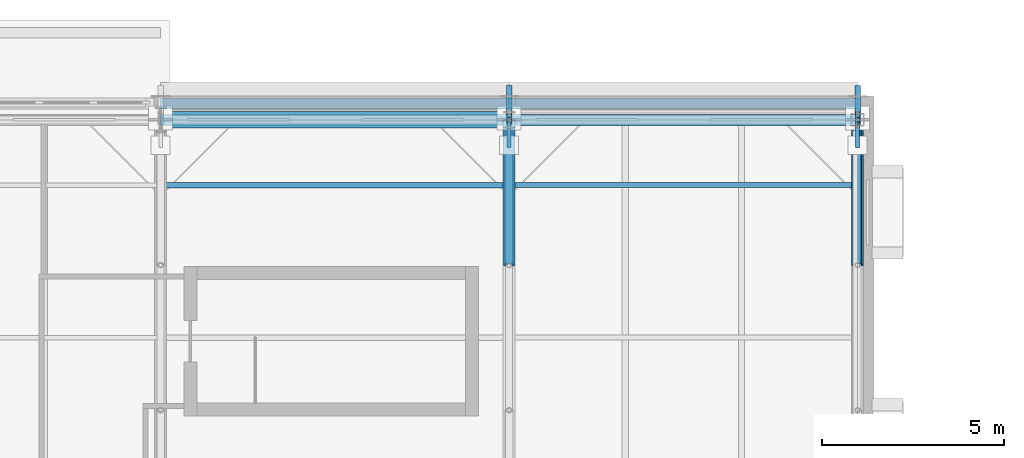
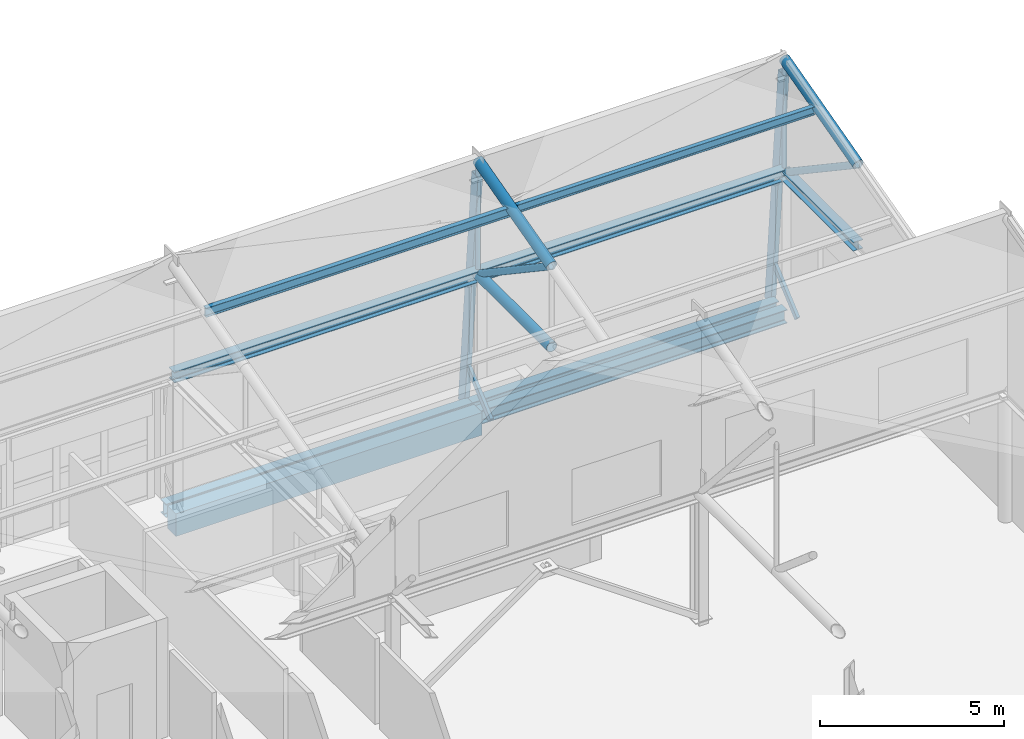
# One storey, part 57 of 89: 14 members, 6 beams.
"""IFC4 building model written with IfcOpenShell, lengths in metres."""

import ifcopenshell
import ifcopenshell.guid

model = None  # the IFC model being written
_history = None  # IfcOwnerHistory: only IFC2X3 demands one
_inside = {}  # id of a spatial element -> (the spatial element, [elements in it])
_under = {}  # id of a project, library or spatial element -> (it, [spatial elements below it])
_declared = {}  # id of a project -> (the project, [libraries it declares])
_typed = {}  # id of a type object -> (the type object, [elements of that type])
_made_of = {}  # id of a material, layer set ... -> (it, [elements and type objects made of it])


def new_model(schema):
    """Start an empty IFC model of exactly this schema.

    Asked for "IFC4X3", IfcOpenShell would pick the latest addendum, in which some entities
    have other attributes; the version numbers below select the first issue.
    IFC2X3 requires an IfcOwnerHistory on every rooted entity: one is made here for all.
    """
    global model, _history
    if schema == "IFC4X3":
        model = ifcopenshell.file(schema_version=(4, 3, 0, 0))
    else:
        model = ifcopenshell.file(schema=schema)
    _inside.clear()
    _under.clear()
    _declared.clear()
    _typed.clear()
    _made_of.clear()
    _history = None
    if model.schema == "IFC2X3":
        org = make("IfcOrganization", Name="unknown")
        user = make(
            "IfcPersonAndOrganization",
            ThePerson=make("IfcPerson", FamilyName="unknown"),
            TheOrganization=org,
        )
        app = make(
            "IfcApplication",
            ApplicationDeveloper=org,
            Version="unknown",
            ApplicationFullName="unknown",
            ApplicationIdentifier="unknown",
        )
        _history = make(
            "IfcOwnerHistory",
            OwningUser=user,
            OwningApplication=app,
            ChangeAction="ADDED",
            CreationDate=0,
        )
    return model


def make(cls, **values):
    """One entity of the class cls with the attributes given. An attribute that is None is left unset."""
    return model.create_entity(
        cls, **{name: value for name, value in values.items() if value is not None}
    )


def rooted(cls, **values):
    """An entity with a GlobalId (a new one), such as an element, a storey or a relation."""
    return make(cls, GlobalId=ifcopenshell.guid.new(), OwnerHistory=_history, **values)


def si_unit(unit_type, name, prefix=None):
    """IfcSIUnit, for example si_unit("LENGTHUNIT", "METRE", prefix="MILLI")."""
    return make("IfcSIUnit", UnitType=unit_type, Prefix=prefix, Name=name)


def assignment(units):
    """IfcUnitAssignment: the units of a project."""
    return None if units is None else make("IfcUnitAssignment", Units=units)


def point(xyz):
    """IfcCartesianPoint."""
    return None if xyz is None else make("IfcCartesianPoint", Coordinates=xyz)


def direction(xyz):
    """IfcDirection."""
    return None if xyz is None else make("IfcDirection", DirectionRatios=xyz)


def frame(location, z_axis=None, x_axis=None):
    """IfcAxis2Placement3D, a coordinate frame: its origin and axes. An axis left out is left unset."""
    return make(
        "IfcAxis2Placement3D",
        Location=point(location),
        Axis=direction(z_axis),
        RefDirection=direction(x_axis),
    )


def frame_2d(location, x_axis=None):
    """IfcAxis2Placement2D, a coordinate frame in the plane: its origin and x axis."""
    return make(
        "IfcAxis2Placement2D", Location=point(location), RefDirection=direction(x_axis)
    )


def origin():
    """The frame at (0, 0, 0) with its axes left unset."""
    return frame((0.0, 0.0, 0.0))


def origin_2d():
    """The frame at (0, 0) in the plane with its x axis left unset."""
    return frame_2d((0.0, 0.0))


def place(relative_to, where):
    """IfcLocalPlacement: puts the frame where relative to a parent placement (None: the world)."""
    return make(
        "IfcLocalPlacement", PlacementRelTo=relative_to, RelativePlacement=where
    )


def context(
    kind, dimensions, precision=None, world=None, true_north=None, identifier=None
):
    """IfcGeometricRepresentationContext, for example the 3D "Model" context."""
    return make(
        "IfcGeometricRepresentationContext",
        ContextIdentifier=identifier,
        ContextType=kind,
        CoordinateSpaceDimension=dimensions,
        Precision=precision,
        WorldCoordinateSystem=world,
        TrueNorth=true_north,
    )


def subcontext(parent, identifier, kind, view, scale=None):
    """IfcGeometricRepresentationSubContext, for example "Body" below "Model"."""
    return make(
        "IfcGeometricRepresentationSubContext",
        ContextIdentifier=identifier,
        ContextType=kind,
        ParentContext=parent,
        TargetScale=scale,
        TargetView=view,
    )


def project(units=None, contexts=None):
    """IfcProject with its units and contexts."""
    return rooted(
        "IfcProject",
        Name="project",
        RepresentationContexts=contexts,
        UnitsInContext=assignment(units),
    )


def spatial(cls, under=None, at=None, **own):
    """A site, building, storey or space (cls), placed at a placement, below another one or the project."""
    s = rooted(cls, ObjectPlacement=at, **own)
    if under is not None:
        _under.setdefault(under.id(), (under, []))[1].append(s)
    return s


def profile(cls, at=None, kind="AREA", **sizes):
    """A parametric profile (cls). Its sizes go by their IFC names, for example OverallWidth=200.0."""
    return make(cls, ProfileType=kind, Position=at, **sizes)


def rectangle(**sizes):
    """IfcRectangleProfileDef."""
    return profile("IfcRectangleProfileDef", **sizes)


def hollow_rectangle(**sizes):
    """IfcRectangleHollowProfileDef."""
    return profile("IfcRectangleHollowProfileDef", **sizes)


def hollow_circle(**sizes):
    """IfcCircleHollowProfileDef."""
    return profile("IfcCircleHollowProfileDef", **sizes)


def i_section(**sizes):
    """IfcIShapeProfileDef."""
    return profile("IfcIShapeProfileDef", **sizes)


def extrude(swept, where, along, depth):
    """IfcExtrudedAreaSolid: the profile swept, set in the frame where, extruded along a direction by depth."""
    return make(
        "IfcExtrudedAreaSolid",
        SweptArea=swept,
        Position=where,
        ExtrudedDirection=direction(along),
        Depth=depth,
    )


def shape(context_of_items, identifier, shape_type, items):
    """IfcShapeRepresentation: the items that make up one representation, for example the "Body"."""
    return make(
        "IfcShapeRepresentation",
        ContextOfItems=context_of_items,
        RepresentationIdentifier=identifier,
        RepresentationType=shape_type,
        Items=items,
    )


def material(Name=None, Category=None):
    """IfcMaterial."""
    return make("IfcMaterial", Name=Name, Category=Category)


def material_profile(
    of_material, cross_section, Name=None, Category=None, Priority=None
):
    """IfcMaterialProfile: a cross section and its material."""
    return make(
        "IfcMaterialProfile",
        Name=Name,
        Material=of_material,
        Profile=cross_section,
        Priority=Priority,
        Category=Category,
    )


def profile_set(profiles, Name=None, composite=None):
    """IfcMaterialProfileSet."""
    return make(
        "IfcMaterialProfileSet",
        Name=Name,
        MaterialProfiles=profiles,
        CompositeProfile=composite,
    )


def made_of(thing, what):
    """Note that an element or type object is made of a material, layer set ...; save() writes the relation."""
    if what is not None:
        _made_of.setdefault(what.id(), (what, []))[1].append(thing)
    return thing


def type_object(cls, material=None, **own):
    """A type object (cls), such as IfcWallType, which elements share."""
    return made_of(rooted(cls, **own), material)


def element(
    cls,
    number,
    at=None,
    inside=None,
    cuts=None,
    type_object=None,
    material=None,
    context=None,
    identifier="Body",
    shape_type=None,
    held_by="IfcProductDefinitionShape",
    body=None,
    shapes=None,
    **own,
):
    """One element of the class cls, such as IfcWall. Its Tag is "e" and its number.

    at: its placement. inside: the storey or other place that contains it. cuts: it is an
    opening in that element (IfcRelVoidsElement). A single representation is given by context,
    identifier, shape_type and body (its items); several are given by shapes. held_by: the class
    of the entity that holds the representations. save() writes the other relations.
    """
    e = rooted(cls, Tag="e%d" % number, ObjectPlacement=at, **own)
    if body is not None:
        shapes = [shape(context, identifier, shape_type, body)]
    if shapes is not None:
        e.Representation = make(held_by, Representations=shapes)
    if inside is not None:
        _inside.setdefault(inside.id(), (inside, []))[1].append(e)
    if cuts is not None:
        rooted(
            "IfcRelVoidsElement", RelatingBuildingElement=cuts, RelatedOpeningElement=e
        )
    if type_object is not None:
        _typed.setdefault(type_object.id(), (type_object, []))[1].append(e)
    return made_of(e, material)


def aggregate(whole, parts):
    """IfcRelAggregates: a whole, such as a stair, and the parts it consists of."""
    return rooted("IfcRelAggregates", RelatingObject=whole, RelatedObjects=parts)


def save(model, path):
    """Write the relations noted so far, then the file.

    IfcRelAggregates (storeys below a building ...), IfcRelContainedInSpatialStructure (elements
    in a storey), IfcRelDefinesByType, IfcRelAssociatesMaterial and IfcRelDeclares: one each for
    every whole, place, type object, material and project.
    """
    for whole, parts in _under.values():
        aggregate(whole, parts)
    for where, things in _inside.values():
        rooted(
            "IfcRelContainedInSpatialStructure",
            RelatedElements=things,
            RelatingStructure=where,
        )
    for kind, things in _typed.values():
        rooted("IfcRelDefinesByType", RelatedObjects=things, RelatingType=kind)
    for what, things in _made_of.values():
        rooted("IfcRelAssociatesMaterial", RelatedObjects=things, RelatingMaterial=what)
    for by, libraries in _declared.values():
        rooted("IfcRelDeclares", RelatingContext=by, RelatedDefinitions=libraries)
    model.write(path)


model = new_model("IFC4")

# Units and contexts
model_context = context("Model", 3, precision=1e-05, world=origin(), true_north=direction((0.0, 1.0)))
body_context = subcontext(model_context, "Body", "Model", "MODEL_VIEW")
ifc_project = project(units=[si_unit("LENGTHUNIT", "METRE"), si_unit("AREAUNIT", "SQUARE_METRE"), si_unit("VOLUMEUNIT", "CUBIC_METRE"), si_unit("PLANEANGLEUNIT", "RADIAN"), si_unit("MASSUNIT", "GRAM", prefix="KILO")], contexts=[model_context])

# Site, building, storey
site_placement = place(None, origin())
site = spatial("IfcSite", under=ifc_project, at=site_placement, CompositionType="ELEMENT")
building_placement = place(site_placement, origin())
building = spatial("IfcBuilding", under=site, at=building_placement, Name="Zereglee Splitstone Museum", CompositionType="ELEMENT")
storey_placement = place(building_placement, frame((0.0, 0.0, 21.300048828125)))
storey = spatial("IfcBuildingStorey", under=building, at=storey_placement, Name="L04", CompositionType="ELEMENT", Elevation=21.300048828125)

# Members
ifc_material_1 = material(Name="Steel S355J2H", Category="steel")
ifc_material_profile_1 = material_profile(ifc_material_1, hollow_circle(Radius=0.109619140625, WallThickness=0.010009765625, at=origin_2d()), Name="CHS 219.1x10")
ifc_profile_set_1 = profile_set([ifc_material_profile_1], Name="Steel S355J2H")
member_type_1 = type_object("IfcMemberType", Name="TB-03", PredefinedType="BRACE", material=ifc_profile_set_1)
for number, where, z_axis, x_axis, name in (
    (1, (135.60009765625, 50.39990234375, 4.199951171875), (0.0, -0.830448263685, 0.557095755991), (1.0, 0.0, 0.0), "Roof Truss ST-07 Diagonal 3.3"),
    (2, (145.199951171875, 50.39990234375, 4.199951171875), (0.0, -0.830448263685, 0.557095755991), (1.0, 0.0, 0.0), "Roof Truss ST-08 Diagonal 3.3"),
):
    element("IfcMember", number, at=place(storey_placement, frame(where, z_axis=z_axis, x_axis=x_axis)), inside=storey, type_object=member_type_1, Name=name, PredefinedType="BRACE", context=body_context, shape_type="SweptSolid", body=[
        extrude(hollow_circle(Radius=0.109619140625, WallThickness=0.010009765625, at=origin_2d()), origin(), (0.0, 0.0, 1.0), 4.816650390625),
    ])
ifc_material_profile_2 = material_profile(ifc_material_1, hollow_circle(Radius=0.161865234375, WallThickness=0.01611328125, at=origin_2d()), Name="CHS 323.9x16")
ifc_profile_set_2 = profile_set([ifc_material_profile_2], Name="Steel S355J2H")
member_type_2 = type_object("IfcMemberType", Name="TC-05", PredefinedType="CHORD", material=ifc_profile_set_2)
member_1_placement = place(storey_placement, frame((135.60009765625, 46.39990234375, 4.199951171875), z_axis=(0.0, 1.0, 0.0), x_axis=(-1.0, 0.0, 0.0)))
element("IfcMember", 3, at=member_1_placement, inside=storey, type_object=member_type_2, Name="Roof Truss ST-07 Bottom Chord 3.3", PredefinedType="CHORD", context=body_context, shape_type="SweptSolid", body=[
    extrude(hollow_circle(Radius=0.161865234375, WallThickness=0.01611328125, at=origin_2d()), origin(), (0.0, 0.0, 1.0), 4.0),
])
for number, where, z_axis, x_axis, name in (
    (4, (135.60009765625, 46.39990234375, 6.88330078125), (0.0, 0.966235918422, 0.257658979955), (-1.0, 0.0, 0.0), "Roof Truss ST-07 Top Chord 3.3"),
    (5, (145.199951171875, 46.39990234375, 6.88330078125), (0.0, 0.966235918422, 0.257658979955), (-1.0, 0.0, 0.0), "Roof Truss ST-08 Top Chord 3.3"),
):
    element("IfcMember", number, at=place(storey_placement, frame(where, z_axis=z_axis, x_axis=x_axis)), inside=storey, type_object=member_type_2, Name=name, PredefinedType="CHORD", context=body_context, shape_type="SweptSolid", body=[
        extrude(hollow_circle(Radius=0.161865234375, WallThickness=0.01611328125, at=origin_2d()), origin(), (0.0, 0.0, 1.0), 4.139892578125),
    ])
ifc_material_2 = material(Name="Steel S355J2", Category="steel")
ifc_material_profile_3 = material_profile(ifc_material_2, i_section(OverallWidth=0.300048828125, OverallDepth=0.300048828125, WebThickness=0.010986328125, FlangeThickness=0.01904296875, FilletRadius=0.027099609375, at=origin_2d()), Name="HE 300 B")
ifc_profile_set_3 = profile_set([ifc_material_profile_3], Name="Steel S355J2")
member_type_3 = type_object("IfcMemberType", Name="TC-07", PredefinedType="CHORD", material=ifc_profile_set_3)
member_2_placement = place(storey_placement, frame((145.199951171875, 46.39990234375, 4.199951171875), z_axis=(0.0, 1.0, 0.0), x_axis=(-1.0, 0.0, 0.0)))
element("IfcMember", 6, at=member_2_placement, inside=storey, type_object=member_type_3, Name="Roof Truss ST-08 Bottom Chord 3.3", PredefinedType="CHORD", context=body_context, shape_type="SweptSolid", body=[
    extrude(i_section(OverallWidth=0.300048828125, OverallDepth=0.300048828125, WebThickness=0.010986328125, FlangeThickness=0.01904296875, FilletRadius=0.027099609375, at=origin_2d()), origin(), (0.0, 0.0, 1.0), 4.0),
])

# Beams
ifc_material_profile_4 = material_profile(ifc_material_2, i_section(OverallWidth=0.300048828125, OverallDepth=0.360107421875, WebThickness=0.012451171875, FlangeThickness=0.0224609375, FilletRadius=0.027099609375, at=origin_2d()), Name="HE 360 B")
ifc_profile_set_4 = profile_set([ifc_material_profile_4], Name="Steel S355J2")
beam_type_1 = type_object("IfcBeamType", Name="BG-14", PredefinedType="BEAM", material=ifc_profile_set_4)
beam_1_placement = place(storey_placement, frame((126.0, 50.39990234375, 4.199951171875), z_axis=(1.0, 0.0, 0.0), x_axis=(0.0, 1.0, 0.0)))
element("IfcBeam", 7, at=beam_1_placement, inside=storey, type_object=beam_type_1, Name="Sawtooth Monitor Sill Beam B6-S3", PredefinedType="BEAM", context=body_context, shape_type="SweptSolid", body=[
    extrude(i_section(OverallWidth=0.300048828125, OverallDepth=0.360107421875, WebThickness=0.012451171875, FlangeThickness=0.0224609375, FilletRadius=0.027099609375, at=origin_2d()), origin(), (0.0, 0.0, 1.0), 9.60009765625),
])
beam_2_placement = place(storey_placement, frame((135.60009765625, 50.39990234375, 4.199951171875), z_axis=(1.0, 0.0, 0.0), x_axis=(0.0, 1.0, 0.0)))
element("IfcBeam", 8, at=beam_2_placement, inside=storey, type_object=beam_type_1, Name="Sawtooth Monitor Sill Beam B7-S3", PredefinedType="BEAM", context=body_context, shape_type="SweptSolid", body=[
    extrude(i_section(OverallWidth=0.300048828125, OverallDepth=0.360107421875, WebThickness=0.012451171875, FlangeThickness=0.0224609375, FilletRadius=0.027099609375, at=origin_2d()), origin(), (0.0, 0.0, 1.0), 9.599853515625),
])

# Members
ifc_material_profile_5 = material_profile(ifc_material_1, hollow_circle(Radius=0.06982421875, WallThickness=0.008056640625, at=origin_2d()), Name="CHS 139.7x8")
ifc_profile_set_5 = profile_set([ifc_material_profile_5], Name="Steel S355J2H")
member_type_4 = type_object("IfcMemberType", Name="TP-03", PredefinedType="POST", material=ifc_profile_set_5)
for number, where, z_axis, x_axis, name in (
    (9, (135.60009765625, 50.39990234375, 4.199951171875), (0.0, 0.0, 1.0), (1.0, 0.0, 0.0), "Roof Truss ST-07 Post 3.3"),
    (10, (145.199951171875, 50.39990234375, 4.199951171875), (0.0, 0.0, 1.0), (1.0, 0.0, 0.0), "Roof Truss ST-08 Post 3.3"),
):
    element("IfcMember", number, at=place(storey_placement, frame(where, z_axis=z_axis, x_axis=x_axis)), inside=storey, type_object=member_type_4, Name=name, PredefinedType="POST", context=body_context, shape_type="SweptSolid", body=[
        extrude(hollow_circle(Radius=0.06982421875, WallThickness=0.008056640625, at=origin_2d()), origin(), (0.0, 0.0, 1.0), 3.75),
    ])
ifc_material_profile_6 = material_profile(ifc_material_2, i_section(OverallWidth=0.135009765625, OverallDepth=0.27001953125, WebThickness=0.006591796875, FlangeThickness=0.01025390625, FilletRadius=0.014892578125, at=origin_2d()), Name="IPE 270")
ifc_profile_set_6 = profile_set([ifc_material_profile_6], Name="Steel S355J2")
member_type_5 = type_object("IfcMemberType", Name="PR-02", PredefinedType="PURLIN", material=ifc_profile_set_6)
member_3_placement = place(storey_placement, frame((135.60009765625, 48.60009765625, 7.40869140625), z_axis=(1.0, 0.0, 0.0), x_axis=(0.0, 1.0, 0.0)))
element("IfcMember", 11, at=member_3_placement, inside=storey, type_object=member_type_5, Name="Sawtooth Roof Purlin B7-S3-3", PredefinedType="PURLIN", context=body_context, shape_type="SweptSolid", body=[
    extrude(i_section(OverallWidth=0.135009765625, OverallDepth=0.27001953125, WebThickness=0.006591796875, FlangeThickness=0.01025390625, FilletRadius=0.014892578125, at=origin_2d()), origin(), (0.0, 0.0, 1.0), 9.599853515625),
])
ifc_material_profile_7 = material_profile(ifc_material_2, i_section(OverallWidth=0.14990234375, OverallDepth=0.300048828125, WebThickness=0.007080078125, FlangeThickness=0.0107421875, FilletRadius=0.014892578125, at=origin_2d()), Name="IPE 300")
ifc_profile_set_7 = profile_set([ifc_material_profile_7], Name="Steel S355J2")
member_type_6 = type_object("IfcMemberType", Name="PR-01", PredefinedType="PURLIN", material=ifc_profile_set_7)
member_4_placement = place(storey_placement, frame((126.0, 48.60009765625, 7.39306640625), z_axis=(1.0, 0.0, 0.0), x_axis=(0.0, 1.0, 0.0)))
element("IfcMember", 12, at=member_4_placement, inside=storey, type_object=member_type_6, Name="Sawtooth Roof Purlin B6-S3-3", PredefinedType="PURLIN", context=body_context, shape_type="SweptSolid", body=[
    extrude(i_section(OverallWidth=0.14990234375, OverallDepth=0.300048828125, WebThickness=0.007080078125, FlangeThickness=0.0107421875, FilletRadius=0.014892578125, at=origin_2d()), origin(), (0.0, 0.0, 1.0), 9.60009765625),
])

# Beams
ifc_material_profile_8 = material_profile(ifc_material_2, i_section(OverallWidth=0.300048828125, OverallDepth=0.449951171875, WebThickness=0.013916015625, FlangeThickness=0.02587890625, FilletRadius=0.027099609375, at=origin_2d()), Name="HE 450 B")
ifc_profile_set_8 = profile_set([ifc_material_profile_8], Name="Steel S355J2")
beam_type_2 = type_object("IfcBeamType", Name="SP-02", PredefinedType="SPANDREL", material=ifc_profile_set_8)
beam_3_placement = place(storey_placement, frame((135.60009765625, 50.39990234375, -0.485107421875), z_axis=(1.0, 0.0, 0.0), x_axis=(0.0, 1.0, 0.0)))
element("IfcBeam", 13, at=beam_3_placement, inside=storey, type_object=beam_type_2, Name="Primary Girder L04 F (135.6-145.2)", PredefinedType="SPANDREL", context=body_context, shape_type="SweptSolid", body=[
    extrude(i_section(OverallWidth=0.300048828125, OverallDepth=0.449951171875, WebThickness=0.013916015625, FlangeThickness=0.02587890625, FilletRadius=0.027099609375, at=origin_2d()), origin(), (0.0, 0.0, 1.0), 9.599853515625),
])
beam_4_placement = place(storey_placement, frame((126.0, 50.85009765625, -0.485107421875), z_axis=(1.0, 0.0, 0.0), x_axis=(0.0, 1.0, 0.0)))
element("IfcBeam", 14, at=beam_4_placement, inside=storey, type_object=beam_type_2, Name="Hovering Soffit Spandrel L04 (126.0-135.6)", PredefinedType="SPANDREL", context=body_context, shape_type="SweptSolid", body=[
    extrude(i_section(OverallWidth=0.300048828125, OverallDepth=0.449951171875, WebThickness=0.013916015625, FlangeThickness=0.02587890625, FilletRadius=0.027099609375, at=origin_2d()), origin(), (0.0, 0.0, 1.0), 9.60009765625),
])
beam_5_placement = place(storey_placement, frame((135.60009765625, 50.85009765625, -0.485107421875), z_axis=(1.0, 0.0, 0.0), x_axis=(0.0, 1.0, 0.0)))
element("IfcBeam", 15, at=beam_5_placement, inside=storey, type_object=beam_type_2, Name="Hovering Soffit Spandrel L04 (135.6-145.2)", PredefinedType="SPANDREL", context=body_context, shape_type="SweptSolid", body=[
    extrude(i_section(OverallWidth=0.300048828125, OverallDepth=0.449951171875, WebThickness=0.013916015625, FlangeThickness=0.02587890625, FilletRadius=0.027099609375, at=origin_2d()), origin(), (0.0, 0.0, 1.0), 9.599853515625),
])
ifc_material_3 = material(Name="Concrete C40/50", Category="concrete")
ifc_material_profile_9 = material_profile(ifc_material_3, rectangle(XDim=0.449951171875, YDim=0.75, at=origin_2d()), Name="RC 450x750")
ifc_profile_set_9 = profile_set([ifc_material_profile_9], Name="Concrete C40/50")
beam_type_3 = type_object("IfcBeamType", Name="SP-01", PredefinedType="SPANDREL", material=ifc_profile_set_9)
beam_6_placement = place(storey_placement, frame((126.0, 50.39990234375, -0.635009765625), z_axis=(1.0, 0.0, 0.0), x_axis=(0.0, 1.0, 0.0)))
element("IfcBeam", 16, at=beam_6_placement, inside=storey, type_object=beam_type_3, Name="Primary Girder L04 F (126.0-135.6)", PredefinedType="SPANDREL", context=body_context, shape_type="SweptSolid", body=[
    extrude(rectangle(XDim=0.449951171875, YDim=0.75, at=origin_2d()), origin(), (0.0, 0.0, 1.0), 9.60009765625),
])

# Members
ifc_material_profile_10 = material_profile(ifc_material_1, hollow_rectangle(XDim=0.14990234375, YDim=0.35009765625, WallThickness=0.012451171875, at=origin_2d()), Name="RHS 350x150x12.5")
ifc_profile_set_10 = profile_set([ifc_material_profile_10], Name="Steel S355J2H")
member_type_7 = type_object("IfcMemberType", Name="FS-R0", PredefinedType="STRUT", material=ifc_profile_set_10)
for number, where, z_axis, x_axis, name in (
    (17, (135.60009765625, 51.1767578125, -0.510009765625), (0.0, -0.090892411904, 0.995860717901), (1.0, 0.0, 0.0), "Split-Rock Continuous Facet Strut FH-V2NE L04-02"),
    (18, (145.199951171875, 51.1767578125, -0.510009765625), (0.0, -0.090892411904, 0.995860717901), (1.0, 0.0, 0.0), "Split-Rock Continuous Facet Strut FH-V2NE L04-03"),
):
    element("IfcMember", number, at=place(storey_placement, frame(where, z_axis=z_axis, x_axis=x_axis)), inside=storey, type_object=member_type_7, Name=name, PredefinedType="STRUT", context=body_context, shape_type="SweptSolid", body=[
        extrude(hollow_rectangle(XDim=0.14990234375, YDim=0.35009765625, WallThickness=0.012451171875, at=origin_2d()), origin(), (0.0, 0.0, 1.0), 8.023193359375),
    ])
ifc_material_profile_11 = material_profile(ifc_material_1, hollow_rectangle(XDim=0.10009765625, YDim=0.179931640625, WallThickness=0.008056640625, at=origin_2d()), Name="RHS 180x100x8")
ifc_profile_set_11 = profile_set([ifc_material_profile_11], Name="Steel S355J2H")
member_type_8 = type_object("IfcMemberType", Name="FS-T2", PredefinedType="STRUT", material=ifc_profile_set_11)
for number, where, z_axis, x_axis, name in (
    (19, (135.60009765625, 49.699951171875, -0.219970703125), (0.0, 0.757166062891, 0.65322243777), (-1.0, 0.0, 0.0), "Facet Tie-Back Strut FH-V2NE L04-02"),
    (20, (145.199951171875, 49.699951171875, -0.219970703125), (0.0, 0.757166062891, 0.65322243777), (-1.0, 0.0, 0.0), "Facet Tie-Back Strut FH-V2NE L04-03"),
):
    element("IfcMember", number, at=place(storey_placement, frame(where, z_axis=z_axis, x_axis=x_axis)), inside=storey, type_object=member_type_8, Name=name, PredefinedType="STRUT", context=body_context, shape_type="SweptSolid", body=[
        extrude(hollow_rectangle(XDim=0.10009765625, YDim=0.179931640625, WallThickness=0.008056640625, at=origin_2d()), origin(), (0.0, 0.0, 1.0), 1.775634765625),
    ])

save(model, "model.ifc")
